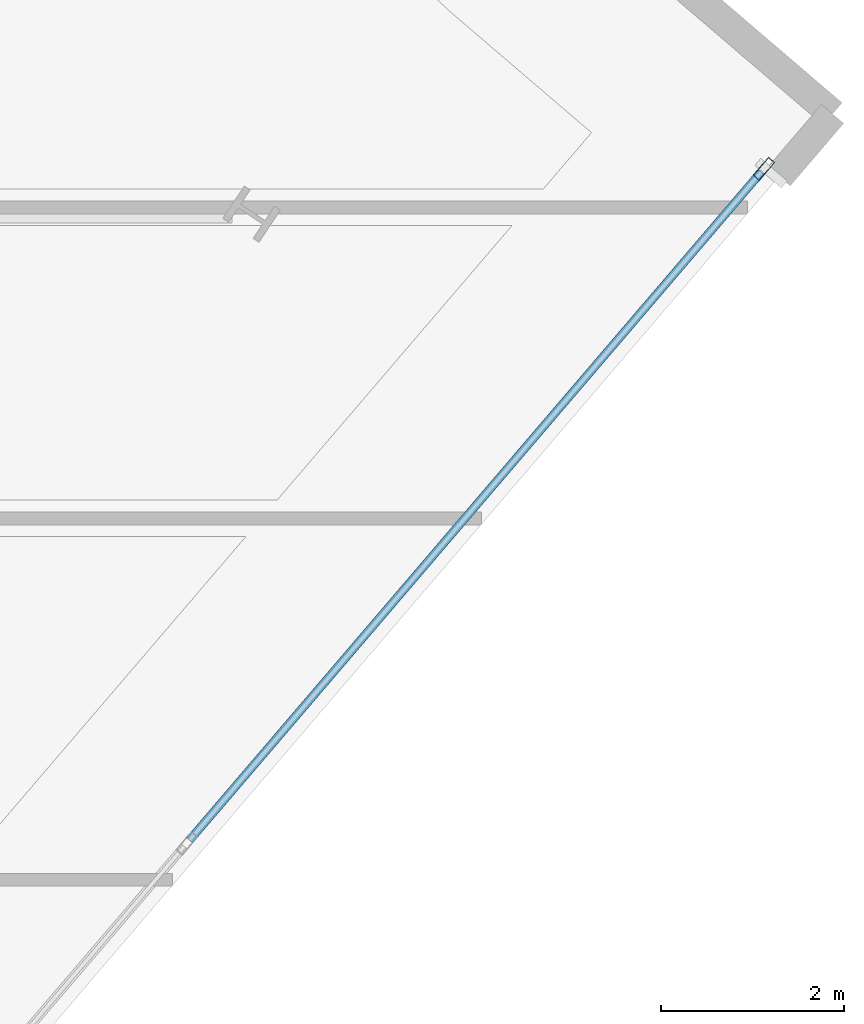
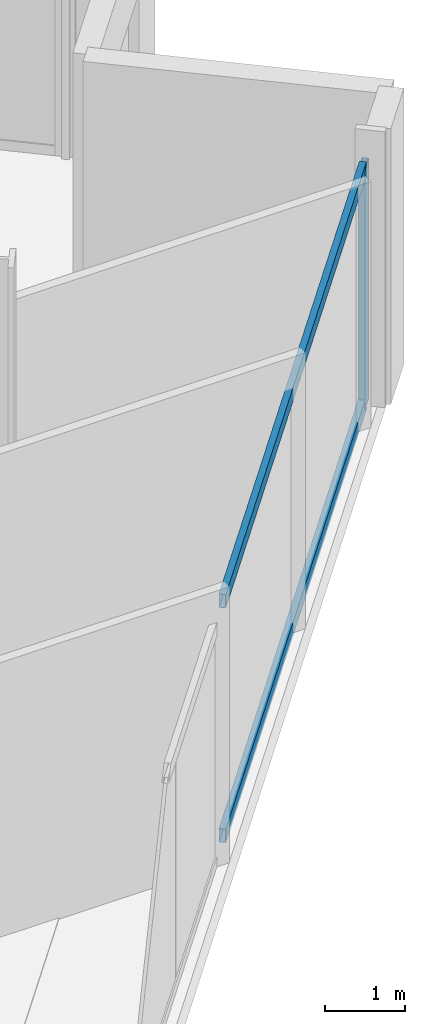
# One storey, part 10 of 26: 3 members, 1 element without a shape of its own.
"""IFC4 building model written with IfcOpenShell, lengths in metres."""

from ifc_helpers import new_model, si_unit, direction, frame, origin, origin_2d, place, context, subcontext, project, spatial, hollow_rectangle, extrude, material, material_profile, profile_set, type_object, element, aggregate, save


model = new_model("IFC4")

# Units and contexts
model_context = context("Model", 3, precision=1e-05, world=origin(), true_north=direction((0.0, 1.0)))
body_context = subcontext(model_context, "Body", "Model", "MODEL_VIEW")
ifc_project = project(units=[si_unit("LENGTHUNIT", "METRE"), si_unit("AREAUNIT", "SQUARE_METRE"), si_unit("VOLUMEUNIT", "CUBIC_METRE"), si_unit("PLANEANGLEUNIT", "RADIAN"), si_unit("MASSUNIT", "GRAM", prefix="KILO")], contexts=[model_context])

# Site, building, storey
site_placement = place(None, origin())
site = spatial("IfcSite", under=ifc_project, at=site_placement, CompositionType="ELEMENT")
building_placement = place(site_placement, origin())
building = spatial("IfcBuilding", under=site, at=building_placement, Name="Haldenkirk Collegiate Tower", CompositionType="ELEMENT")
storey_placement = place(building_placement, frame((0.0, 0.0, 193.949951171875)))
storey = spatial("IfcBuildingStorey", under=building, at=storey_placement, Name="L48", CompositionType="ELEMENT", Elevation=193.949951171875)

# Curtain wall, members
ifc_material = material(Name="Anodised architectural bronze aluminium", Category="aluminium")
curtain_wall_type = type_object("IfcCurtainWallType", Name="CW-SYS4-SKYGARDEN", PredefinedType="USERDEFINED", material=ifc_material)
curtain_wall_placement = place(storey_placement, origin())
curtain_wall = element("IfcCurtainWall", 1, at=curtain_wall_placement, inside=storey, type_object=curtain_wall_type, Name="L48 Sky-garden tall bronze curtain wall", ObjectType="UNITISED CURTAIN WALL", PredefinedType="USERDEFINED")
ifc_material_profile_1 = material_profile(ifc_material, hollow_rectangle(XDim=0.090087890625, YDim=0.260009765625, WallThickness=0.0048828125, at=origin_2d()), Name="CW-MUL-04")
ifc_profile_set_1 = profile_set([ifc_material_profile_1], Name="Anodised architectural bronze aluminium")
member_type_1 = type_object("IfcMemberType", Name="CW-MUL-04", PredefinedType="MULLION", material=ifc_profile_set_1)
member_1_placement = place(storey_placement, frame((66.367431640625, 25.6220703125, 0.0), z_axis=(0.0, 0.0, 1.0), x_axis=(0.759836934452, -0.650113707779, 0.0)))
member_1 = element("IfcMember", 2, at=member_1_placement, type_object=member_type_1, Name="CW-04 mullion 1", PredefinedType="MULLION", context=body_context, shape_type="SweptSolid", body=[
    extrude(hollow_rectangle(XDim=0.090087890625, YDim=0.260009765625, WallThickness=0.0048828125, at=origin_2d()), origin(), (0.0, 0.0, 1.0), 3.677978515625),
])
ifc_material_profile_2 = material_profile(ifc_material, hollow_rectangle(XDim=0.090087890625, YDim=0.2099609375, WallThickness=0.0048828125, at=origin_2d()), Name="CW-TRN-04")
ifc_profile_set_2 = profile_set([ifc_material_profile_2], Name="Anodised architectural bronze aluminium")
member_type_2 = type_object("IfcMemberType", Name="CW-TRN-04", PredefinedType="USERDEFINED", material=ifc_profile_set_2)
member_2_placement = place(storey_placement, frame((66.338134765625, 25.587890625, 0.045166015625), z_axis=(-0.650117801104, -0.759833432199, 0.0), x_axis=(0.759833432199, -0.650117801104, 0.0)))
member_2 = element("IfcMember", 3, at=member_2_placement, type_object=member_type_2, Name="CW-04 transom 1.1", ObjectType="TRANSOM", PredefinedType="USERDEFINED", context=body_context, shape_type="SweptSolid", body=[
    extrude(hollow_rectangle(XDim=0.090087890625, YDim=0.2099609375, WallThickness=0.0048828125, at=origin_2d()), origin(), (0.0, 0.0, 1.0), 9.615234375),
])
member_3_placement = place(storey_placement, frame((66.338134765625, 25.587890625, 3.633056640625), z_axis=(-0.650117801104, -0.759833432199, 0.0), x_axis=(0.759833432199, -0.650117801104, 0.0)))
member_3 = element("IfcMember", 4, at=member_3_placement, type_object=member_type_2, Name="CW-04 transom 1.2", ObjectType="TRANSOM", PredefinedType="USERDEFINED", context=body_context, shape_type="SweptSolid", body=[
    extrude(hollow_rectangle(XDim=0.090087890625, YDim=0.2099609375, WallThickness=0.0048828125, at=origin_2d()), origin(), (0.0, 0.0, 1.0), 9.615234375),
])
aggregate(curtain_wall, [member_1, member_2, member_3])

save(model, "model.ifc")
